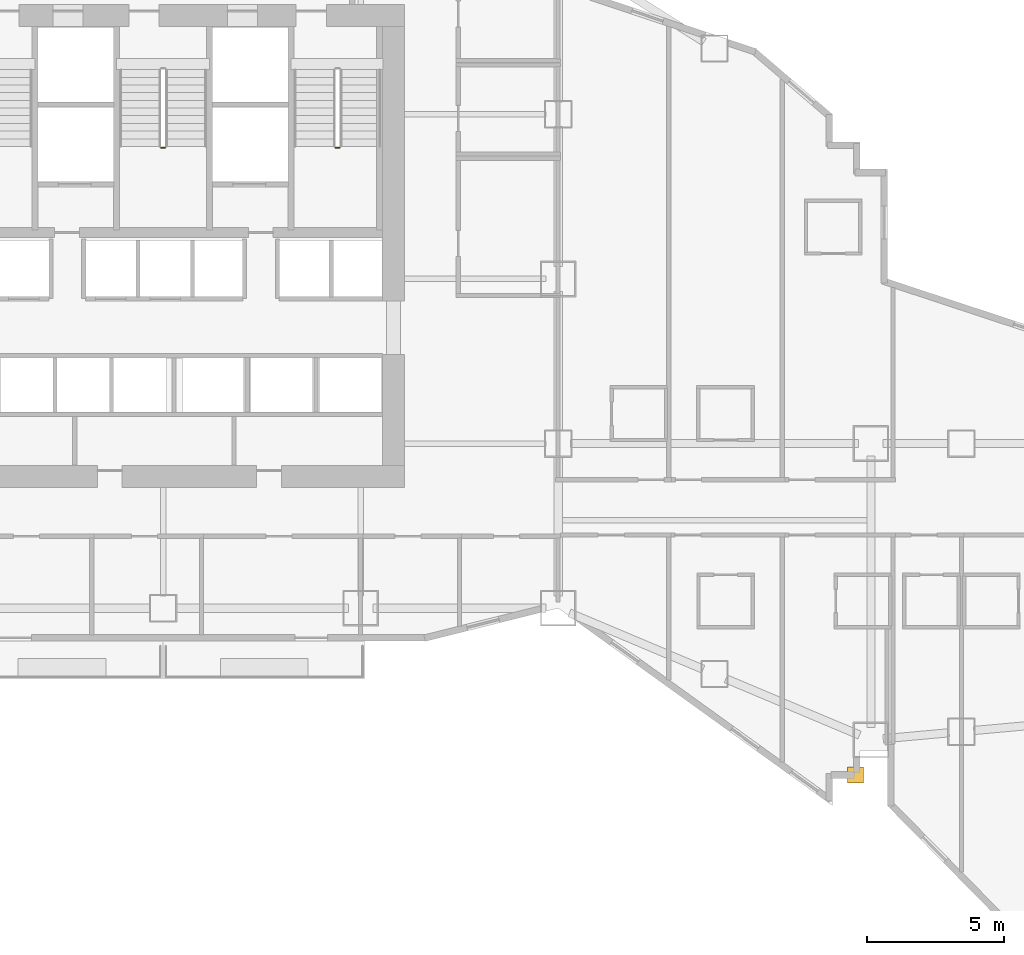
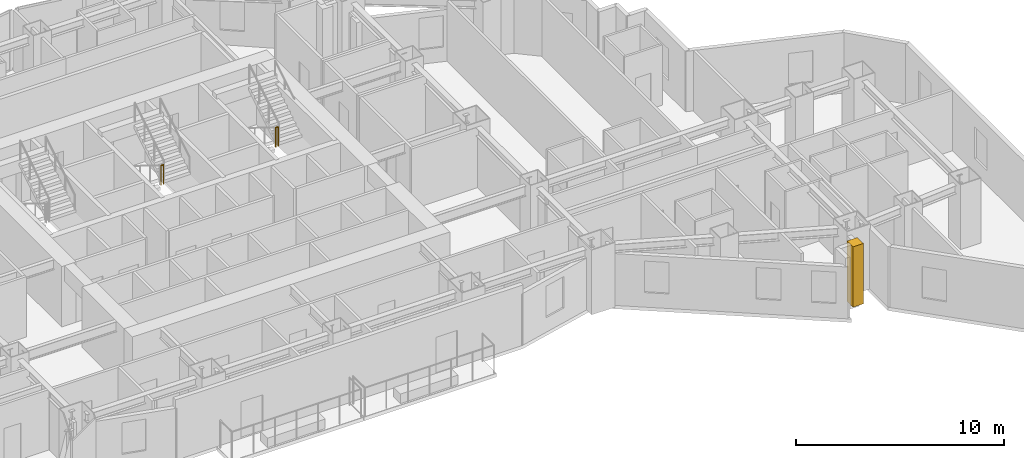
# One storey, part 17 of 19: 2 railings, 1 covering.
"""IFC4 building model written with IfcOpenShell, lengths in metres."""

from ifc_helpers import new_model, si_unit, direction, frame, origin, origin_2d, place, context, subcontext, project, spatial, rectangle, circle, extrude, material, layer, layer_set, type_object, element, save


model = new_model("IFC4")

# Units and contexts
model_context = context("Model", 3, precision=1e-05, world=origin(), true_north=direction((0.0, 1.0)))
body_context = subcontext(model_context, "Body", "Model", "MODEL_VIEW")
ifc_project = project(units=[si_unit("LENGTHUNIT", "METRE"), si_unit("AREAUNIT", "SQUARE_METRE"), si_unit("VOLUMEUNIT", "CUBIC_METRE"), si_unit("PLANEANGLEUNIT", "RADIAN"), si_unit("MASSUNIT", "GRAM", prefix="KILO")], contexts=[model_context])

# Site, building, storey
site_placement = place(None, origin())
site = spatial("IfcSite", under=ifc_project, at=site_placement, CompositionType="ELEMENT")
building_placement = place(site_placement, origin())
building = spatial("IfcBuilding", under=site, at=building_placement, Name="Haolan Belvedere Tower", CompositionType="ELEMENT")
storey_placement = place(building_placement, frame((0.0, 0.0, 39.199951171875)))
storey = spatial("IfcBuildingStorey", under=building, at=storey_placement, Name="L09", CompositionType="ELEMENT", Elevation=39.199951171875)

# Covering
ifc_material_1 = material(Name="Pale champagne-silver anodised aluminium rainscreen cladding", Category="aluminium")
ifc_layer = layer(ifc_material_1, 0.034912109375, Name="Pale champagne-silver anodised aluminium rainscreen cladding")
ifc_layer_set = layer_set([ifc_layer], Name="Pale champagne-silver anodised aluminium rainscreen cladding")
covering_type = type_object("IfcCoveringType", Name="COV-CLAD-35", PredefinedType="CLADDING", material=ifc_layer_set)
covering_placement = place(storey_placement, frame((63.637451171875, 15.52001953125, 0.0), z_axis=(0.0, 0.0, 1.0), x_axis=(1.0, 0.0, 0.0)))
element("IfcCovering", 1, at=covering_placement, inside=storey, type_object=covering_type, Name="L09 pale-metal serrated corner cladding trim 4", PredefinedType="CLADDING", context=body_context, shape_type="SweptSolid", body=[
    extrude(rectangle(XDim=0.580078125, YDim=0.580078125, at=origin_2d()), origin(), (0.0, 0.0, 1.0), 3.5400390625),
])

# Railings
ifc_material_2 = material(Name="Brushed stainless steel 304", Category="steel")
railing_type = type_object("IfcRailingType", Name="RL-STAIR-GRD-1150", PredefinedType="GUARDRAIL", material=ifc_material_2)
railing_1_placement = place(storey_placement, frame((38.330078125, 38.3798828125, 1.900146484375)))
element("IfcRailing", 2, at=railing_1_placement, inside=storey, type_object=railing_type, Name="L09 ST3 stair guard 2", PredefinedType="GUARDRAIL", context=body_context, shape_type="SweptSolid", body=[
    extrude(circle(Radius=0.02392578125, at=origin_2d()), frame((0.0, 0.0, 1.1259765625), z_axis=(1.0, 0.0, 0.0), x_axis=(0.0, 1.0, 0.0)), (0.0, 0.0, 1.0), 0.139892578125),
    extrude(circle(Radius=0.02099609375, at=origin_2d()), origin(), (0.0, 0.0, 1.0), 1.101806640625),
    extrude(circle(Radius=0.02099609375, at=origin_2d()), frame((0.139892578125, 0.0, 0.0)), (0.0, 0.0, 1.0), 1.101806640625),
])
railing_2_placement = place(storey_placement, frame((44.68994140625, 38.3798828125, 1.900146484375)))
element("IfcRailing", 3, at=railing_2_placement, inside=storey, type_object=railing_type, Name="L09 ST2 stair guard 2", PredefinedType="GUARDRAIL", context=body_context, shape_type="SweptSolid", body=[
    extrude(circle(Radius=0.02392578125, at=origin_2d()), frame((0.0, 0.0, 1.1259765625), z_axis=(1.0, 0.0, 0.0), x_axis=(0.0, 1.0, 0.0)), (0.0, 0.0, 1.0), 0.14013671875),
    extrude(circle(Radius=0.02099609375, at=origin_2d()), origin(), (0.0, 0.0, 1.0), 1.101806640625),
    extrude(circle(Radius=0.02099609375, at=origin_2d()), frame((0.14013671875, 0.0, 0.0)), (0.0, 0.0, 1.0), 1.101806640625),
])

save(model, "model.ifc")
